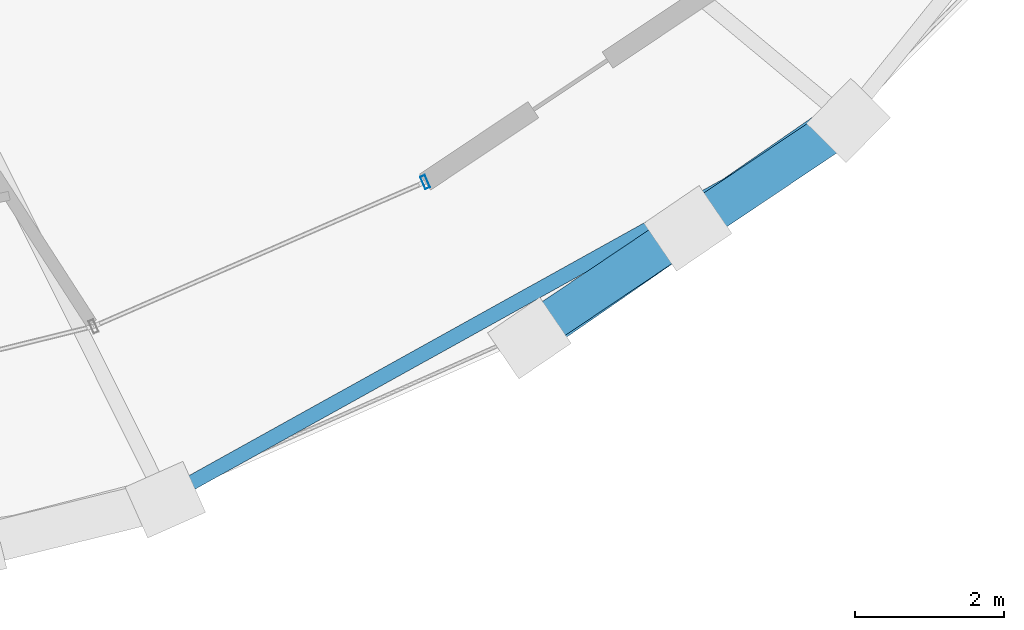
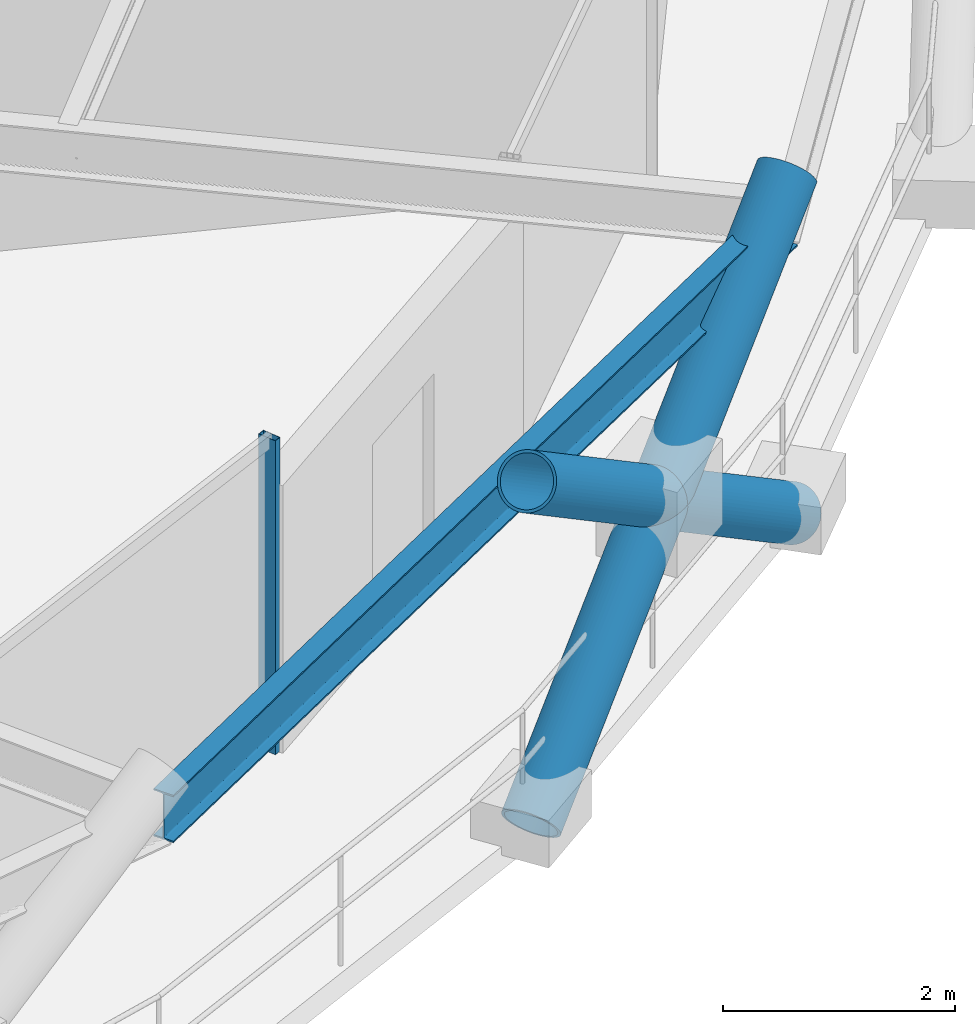
# One storey, part 5 of 20: 4 members, 1 beam, 1 element without a shape of its own.
"""IFC4 building model written with IfcOpenShell, lengths in metres."""

import ifcopenshell
import ifcopenshell.guid

model = None  # the IFC model being written
_history = None  # IfcOwnerHistory: only IFC2X3 demands one
_inside = {}  # id of a spatial element -> (the spatial element, [elements in it])
_under = {}  # id of a project, library or spatial element -> (it, [spatial elements below it])
_declared = {}  # id of a project -> (the project, [libraries it declares])
_typed = {}  # id of a type object -> (the type object, [elements of that type])
_made_of = {}  # id of a material, layer set ... -> (it, [elements and type objects made of it])


def new_model(schema):
    """Start an empty IFC model of exactly this schema.

    Asked for "IFC4X3", IfcOpenShell would pick the latest addendum, in which some entities
    have other attributes; the version numbers below select the first issue.
    IFC2X3 requires an IfcOwnerHistory on every rooted entity: one is made here for all.
    """
    global model, _history
    if schema == "IFC4X3":
        model = ifcopenshell.file(schema_version=(4, 3, 0, 0))
    else:
        model = ifcopenshell.file(schema=schema)
    _inside.clear()
    _under.clear()
    _declared.clear()
    _typed.clear()
    _made_of.clear()
    _history = None
    if model.schema == "IFC2X3":
        org = make("IfcOrganization", Name="unknown")
        user = make(
            "IfcPersonAndOrganization",
            ThePerson=make("IfcPerson", FamilyName="unknown"),
            TheOrganization=org,
        )
        app = make(
            "IfcApplication",
            ApplicationDeveloper=org,
            Version="unknown",
            ApplicationFullName="unknown",
            ApplicationIdentifier="unknown",
        )
        _history = make(
            "IfcOwnerHistory",
            OwningUser=user,
            OwningApplication=app,
            ChangeAction="ADDED",
            CreationDate=0,
        )
    return model


def make(cls, **values):
    """One entity of the class cls with the attributes given. An attribute that is None is left unset."""
    return model.create_entity(
        cls, **{name: value for name, value in values.items() if value is not None}
    )


def rooted(cls, **values):
    """An entity with a GlobalId (a new one), such as an element, a storey or a relation."""
    return make(cls, GlobalId=ifcopenshell.guid.new(), OwnerHistory=_history, **values)


def si_unit(unit_type, name, prefix=None):
    """IfcSIUnit, for example si_unit("LENGTHUNIT", "METRE", prefix="MILLI")."""
    return make("IfcSIUnit", UnitType=unit_type, Prefix=prefix, Name=name)


def assignment(units):
    """IfcUnitAssignment: the units of a project."""
    return None if units is None else make("IfcUnitAssignment", Units=units)


def point(xyz):
    """IfcCartesianPoint."""
    return None if xyz is None else make("IfcCartesianPoint", Coordinates=xyz)


def direction(xyz):
    """IfcDirection."""
    return None if xyz is None else make("IfcDirection", DirectionRatios=xyz)


def frame(location, z_axis=None, x_axis=None):
    """IfcAxis2Placement3D, a coordinate frame: its origin and axes. An axis left out is left unset."""
    return make(
        "IfcAxis2Placement3D",
        Location=point(location),
        Axis=direction(z_axis),
        RefDirection=direction(x_axis),
    )


def frame_2d(location, x_axis=None):
    """IfcAxis2Placement2D, a coordinate frame in the plane: its origin and x axis."""
    return make(
        "IfcAxis2Placement2D", Location=point(location), RefDirection=direction(x_axis)
    )


def origin():
    """The frame at (0, 0, 0) with its axes left unset."""
    return frame((0.0, 0.0, 0.0))


def origin_2d():
    """The frame at (0, 0) in the plane with its x axis left unset."""
    return frame_2d((0.0, 0.0))


def place(relative_to, where):
    """IfcLocalPlacement: puts the frame where relative to a parent placement (None: the world)."""
    return make(
        "IfcLocalPlacement", PlacementRelTo=relative_to, RelativePlacement=where
    )


def context(
    kind, dimensions, precision=None, world=None, true_north=None, identifier=None
):
    """IfcGeometricRepresentationContext, for example the 3D "Model" context."""
    return make(
        "IfcGeometricRepresentationContext",
        ContextIdentifier=identifier,
        ContextType=kind,
        CoordinateSpaceDimension=dimensions,
        Precision=precision,
        WorldCoordinateSystem=world,
        TrueNorth=true_north,
    )


def subcontext(parent, identifier, kind, view, scale=None):
    """IfcGeometricRepresentationSubContext, for example "Body" below "Model"."""
    return make(
        "IfcGeometricRepresentationSubContext",
        ContextIdentifier=identifier,
        ContextType=kind,
        ParentContext=parent,
        TargetScale=scale,
        TargetView=view,
    )


def project(units=None, contexts=None):
    """IfcProject with its units and contexts."""
    return rooted(
        "IfcProject",
        Name="project",
        RepresentationContexts=contexts,
        UnitsInContext=assignment(units),
    )


def spatial(cls, under=None, at=None, **own):
    """A site, building, storey or space (cls), placed at a placement, below another one or the project."""
    s = rooted(cls, ObjectPlacement=at, **own)
    if under is not None:
        _under.setdefault(under.id(), (under, []))[1].append(s)
    return s


def profile(cls, at=None, kind="AREA", **sizes):
    """A parametric profile (cls). Its sizes go by their IFC names, for example OverallWidth=200.0."""
    return make(cls, ProfileType=kind, Position=at, **sizes)


def hollow_rectangle(**sizes):
    """IfcRectangleHollowProfileDef."""
    return profile("IfcRectangleHollowProfileDef", **sizes)


def hollow_circle(**sizes):
    """IfcCircleHollowProfileDef."""
    return profile("IfcCircleHollowProfileDef", **sizes)


def i_section(**sizes):
    """IfcIShapeProfileDef."""
    return profile("IfcIShapeProfileDef", **sizes)


def extrude(swept, where, along, depth):
    """IfcExtrudedAreaSolid: the profile swept, set in the frame where, extruded along a direction by depth."""
    return make(
        "IfcExtrudedAreaSolid",
        SweptArea=swept,
        Position=where,
        ExtrudedDirection=direction(along),
        Depth=depth,
    )


def shape(context_of_items, identifier, shape_type, items):
    """IfcShapeRepresentation: the items that make up one representation, for example the "Body"."""
    return make(
        "IfcShapeRepresentation",
        ContextOfItems=context_of_items,
        RepresentationIdentifier=identifier,
        RepresentationType=shape_type,
        Items=items,
    )


def material(Name=None, Category=None):
    """IfcMaterial."""
    return make("IfcMaterial", Name=Name, Category=Category)


def layer(
    of_material, thickness, ventilated=None, Name=None, Category=None, Priority=None
):
    """IfcMaterialLayer: one layer of a wall or slab, of a material (None: an air gap)."""
    return make(
        "IfcMaterialLayer",
        Material=of_material,
        LayerThickness=thickness,
        IsVentilated=ventilated,
        Name=Name,
        Category=Category,
        Priority=Priority,
    )


def layer_set(layers, Name=None):
    """IfcMaterialLayerSet."""
    return make("IfcMaterialLayerSet", MaterialLayers=layers, LayerSetName=Name)


def material_profile(
    of_material, cross_section, Name=None, Category=None, Priority=None
):
    """IfcMaterialProfile: a cross section and its material."""
    return make(
        "IfcMaterialProfile",
        Name=Name,
        Material=of_material,
        Profile=cross_section,
        Priority=Priority,
        Category=Category,
    )


def profile_set(profiles, Name=None, composite=None):
    """IfcMaterialProfileSet."""
    return make(
        "IfcMaterialProfileSet",
        Name=Name,
        MaterialProfiles=profiles,
        CompositeProfile=composite,
    )


def made_of(thing, what):
    """Note that an element or type object is made of a material, layer set ...; save() writes the relation."""
    if what is not None:
        _made_of.setdefault(what.id(), (what, []))[1].append(thing)
    return thing


def type_object(cls, material=None, **own):
    """A type object (cls), such as IfcWallType, which elements share."""
    return made_of(rooted(cls, **own), material)


def element(
    cls,
    number,
    at=None,
    inside=None,
    cuts=None,
    type_object=None,
    material=None,
    context=None,
    identifier="Body",
    shape_type=None,
    held_by="IfcProductDefinitionShape",
    body=None,
    shapes=None,
    **own,
):
    """One element of the class cls, such as IfcWall. Its Tag is "e" and its number.

    at: its placement. inside: the storey or other place that contains it. cuts: it is an
    opening in that element (IfcRelVoidsElement). A single representation is given by context,
    identifier, shape_type and body (its items); several are given by shapes. held_by: the class
    of the entity that holds the representations. save() writes the other relations.
    """
    e = rooted(cls, Tag="e%d" % number, ObjectPlacement=at, **own)
    if body is not None:
        shapes = [shape(context, identifier, shape_type, body)]
    if shapes is not None:
        e.Representation = make(held_by, Representations=shapes)
    if inside is not None:
        _inside.setdefault(inside.id(), (inside, []))[1].append(e)
    if cuts is not None:
        rooted(
            "IfcRelVoidsElement", RelatingBuildingElement=cuts, RelatedOpeningElement=e
        )
    if type_object is not None:
        _typed.setdefault(type_object.id(), (type_object, []))[1].append(e)
    return made_of(e, material)


def aggregate(whole, parts):
    """IfcRelAggregates: a whole, such as a stair, and the parts it consists of."""
    return rooted("IfcRelAggregates", RelatingObject=whole, RelatedObjects=parts)


def save(model, path):
    """Write the relations noted so far, then the file.

    IfcRelAggregates (storeys below a building ...), IfcRelContainedInSpatialStructure (elements
    in a storey), IfcRelDefinesByType, IfcRelAssociatesMaterial and IfcRelDeclares: one each for
    every whole, place, type object, material and project.
    """
    for whole, parts in _under.values():
        aggregate(whole, parts)
    for where, things in _inside.values():
        rooted(
            "IfcRelContainedInSpatialStructure",
            RelatedElements=things,
            RelatingStructure=where,
        )
    for kind, things in _typed.values():
        rooted("IfcRelDefinesByType", RelatedObjects=things, RelatingType=kind)
    for what, things in _made_of.values():
        rooted("IfcRelAssociatesMaterial", RelatedObjects=things, RelatingMaterial=what)
    for by, libraries in _declared.values():
        rooted("IfcRelDeclares", RelatingContext=by, RelatedDefinitions=libraries)
    model.write(path)


model = new_model("IFC4")

# Units and contexts
model_context = context("Model", 3, precision=1e-05, world=origin(), true_north=direction((0.0, 1.0)))
body_context = subcontext(model_context, "Body", "Model", "MODEL_VIEW")
ifc_project = project(units=[si_unit("LENGTHUNIT", "METRE"), si_unit("AREAUNIT", "SQUARE_METRE"), si_unit("VOLUMEUNIT", "CUBIC_METRE"), si_unit("PLANEANGLEUNIT", "RADIAN"), si_unit("MASSUNIT", "GRAM", prefix="KILO")], contexts=[model_context])

# Site, building, storey
site_placement = place(None, origin())
site = spatial("IfcSite", under=ifc_project, at=site_placement, CompositionType="ELEMENT")
building_placement = place(site_placement, origin())
building = spatial("IfcBuilding", under=site, at=building_placement, Name="Veldorina Hangang Commons", CompositionType="ELEMENT")
storey_placement = place(building_placement, frame((0.0, 0.0, 153.199951171875)))
storey = spatial("IfcBuildingStorey", under=building, at=storey_placement, Name="L39", CompositionType="ELEMENT", Elevation=153.199951171875)

# Beam
ifc_material_1 = material(Name="Steel SM420-TMC", Category="steel")
ifc_material_profile_1 = material_profile(ifc_material_1, i_section(OverallWidth=0.199951171875, OverallDepth=0.5, WebThickness=0.010009765625, FlangeThickness=0.01611328125, FilletRadius=0.01611328125, at=origin_2d()), Name="H-500x200x10x16")
ifc_profile_set_1 = profile_set([ifc_material_profile_1], Name="Steel SM420-TMC")
beam_type = type_object("IfcBeamType", Name="BM-RB500", PredefinedType="BEAM", material=ifc_profile_set_1)
beam_placement = place(storey_placement, frame((42.807373046875, 2.317626953125, 3.10009765625), z_axis=(0.874264945245, 0.48544907613, 0.0), x_axis=(-0.48544907613, 0.874264945245, 0.0)))
element("IfcBeam", 1, at=beam_placement, inside=storey, type_object=beam_type, Name="L39 perimeter hoop ring beam 26", PredefinedType="BEAM", context=body_context, shape_type="SweptSolid", body=[
    extrude(i_section(OverallWidth=0.199951171875, OverallDepth=0.5, WebThickness=0.010009765625, FlangeThickness=0.01611328125, FilletRadius=0.01611328125, at=origin_2d()), origin(), (0.0, 0.0, 1.0), 10.479736328125),
])

# Curtain wall, member
ifc_material_2 = material(Name="Glass Low-E Triple IGU", Category="glass")
ifc_layer = layer(ifc_material_2, 0.179931640625)
ifc_layer_set = layer_set([ifc_layer], Name="Glass Low-E Triple IGU")
curtain_wall_type = type_object("IfcCurtainWallType", Name="CW-SYS-Z2", PredefinedType="NOTDEFINED", material=ifc_layer_set)
curtain_wall_placement = place(storey_placement, origin())
curtain_wall = element("IfcCurtainWall", 2, at=curtain_wall_placement, inside=storey, type_object=curtain_wall_type, Name="L39 unitised curtain wall CW-L39-R1", PredefinedType="NOTDEFINED")
ifc_material_3 = material(Name="Aluminium Anodized AA6063-T6", Category="aluminium")
ifc_material_profile_2 = material_profile(ifc_material_3, hollow_rectangle(XDim=0.070068359375, YDim=0.179931640625, WallThickness=0.00390625, at=origin_2d()), Name="ALU-RHS-180x70x4")
ifc_profile_set_2 = profile_set([ifc_material_profile_2], Name="Aluminium Anodized AA6063-T6")
member_type_1 = type_object("IfcMemberType", Name="CW-MUL-180", PredefinedType="MULLION", material=ifc_profile_set_2)
member_1_placement = place(storey_placement, frame((46.311767578125, 6.558837890625, 0.0), z_axis=(0.0, 0.0, 1.0), x_axis=(-0.916906898134, -0.399101165312, 0.0)))
member_1 = element("IfcMember", 3, at=member_1_placement, type_object=member_type_1, Name="CW-L39-R1 vertical mullion 5", PredefinedType="MULLION", context=body_context, shape_type="SweptSolid", body=[
    extrude(hollow_rectangle(XDim=0.070068359375, YDim=0.179931640625, WallThickness=0.00390625, at=origin_2d()), origin(), (0.0, 0.0, 1.0), 3.31005859375),
])
aggregate(curtain_wall, [member_1])

# Members
ifc_material_profile_3 = material_profile(ifc_material_1, hollow_circle(Radius=0.27490234375, WallThickness=0.028076171875, at=origin_2d()), Name="CHS-550x28")
ifc_profile_set_3 = profile_set([ifc_material_profile_3], Name="Steel SM420-TMC")
member_type_2 = type_object("IfcMemberType", Name="DG-CHS550", PredefinedType="BRACE", material=ifc_profile_set_3)
member_2_placement = place(storey_placement, frame((47.7119140625, 4.46337890625, 0.0), z_axis=(0.674833436721, 0.467243035057, 0.571212551397), x_axis=(-0.569251697423, 0.822163307976, 0.0)))
element("IfcMember", 4, at=member_2_placement, inside=storey, type_object=member_type_2, Name="L39 continuous perimeter diagrid brace 27", PredefinedType="BRACE", context=body_context, shape_type="SweptSolid", body=[
    extrude(hollow_circle(Radius=0.27490234375, WallThickness=0.028076171875, at=origin_2d()), origin(), (0.0, 0.0, 1.0), 6.302490234375),
])
member_3_placement = place(storey_placement, frame((51.997314453125, 7.385498046875, 0.0), z_axis=(-0.682270782142, -0.458115951839, 0.569768685087), x_axis=(0.55745084084, -0.830209949378, 0.0)))
element("IfcMember", 5, at=member_3_placement, inside=storey, type_object=member_type_2, Name="L39 split perimeter diagrid lower brace 28", PredefinedType="BRACE", context=body_context, shape_type="SweptSolid", body=[
    extrude(hollow_circle(Radius=0.27490234375, WallThickness=0.028076171875, at=origin_2d()), origin(), (0.0, 0.0, 1.0), 3.161865234375),
])
member_4_placement = place(storey_placement, frame((49.840087890625, 5.93701171875, 1.801513671875), z_axis=(-0.682156504756, -0.458354109929, 0.569713974667), x_axis=(0.55771489936, -0.830032584319, 0.0)))
element("IfcMember", 6, at=member_4_placement, inside=storey, type_object=member_type_2, Name="L39 split perimeter diagrid upper brace 28", PredefinedType="BRACE", context=body_context, shape_type="SweptSolid", body=[
    extrude(hollow_circle(Radius=0.27490234375, WallThickness=0.028076171875, at=origin_2d()), origin(), (0.0, 0.0, 1.0), 3.156982421875),
])

save(model, "model.ifc")
